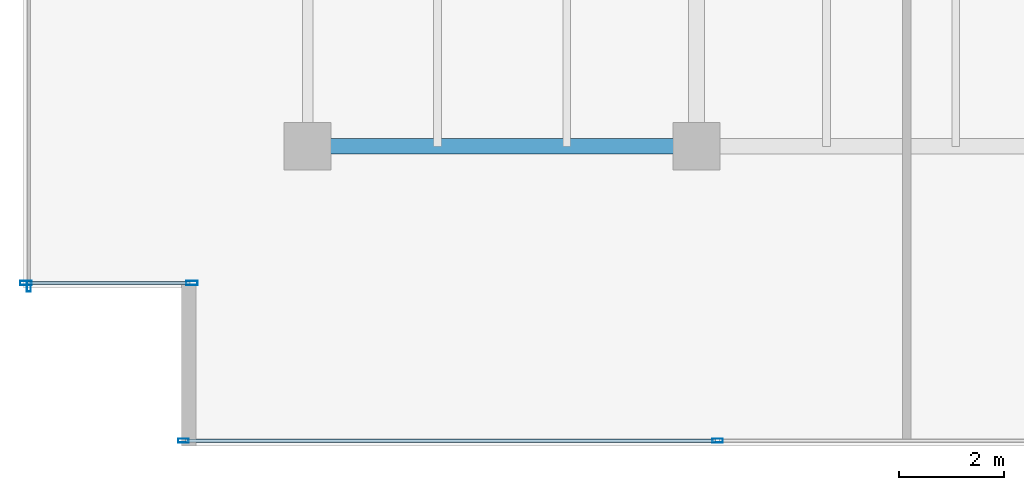
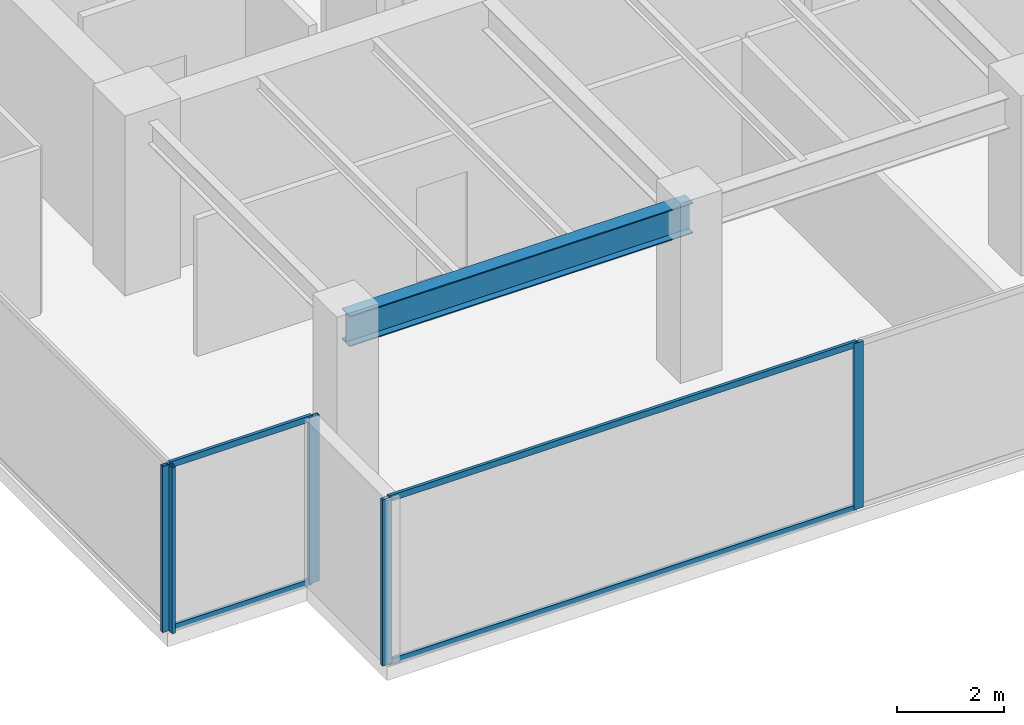
# One storey, part 2 of 30: 9 members, 1 beam, 3 elements without a shape of their own.
"""IFC4 building model written with IfcOpenShell, lengths in metres."""

from ifc_helpers import new_model, si_unit, direction, frame, origin, origin_2d, place, context, subcontext, project, spatial, hollow_rectangle, i_section, extrude, source, transform, mapped, material, layer, layer_set, material_profile, profile_set, type_object, type_shapes, element, aggregate, save


model = new_model("IFC4")

# Units and contexts
model_context = context("Model", 3, precision=1e-05, world=origin(), true_north=direction((0.0, 1.0)))
body_context = subcontext(model_context, "Body", "Model", "MODEL_VIEW")
ifc_project = project(units=[si_unit("LENGTHUNIT", "METRE"), si_unit("AREAUNIT", "SQUARE_METRE"), si_unit("VOLUMEUNIT", "CUBIC_METRE"), si_unit("PLANEANGLEUNIT", "RADIAN"), si_unit("MASSUNIT", "GRAM", prefix="KILO")], contexts=[model_context])

# Site, building, storey
site_placement = place(None, origin())
site = spatial("IfcSite", under=ifc_project, at=site_placement, CompositionType="ELEMENT")
building_placement = place(site_placement, origin())
building = spatial("IfcBuilding", under=site, at=building_placement, Name="Haelvirn Gate Laboratories", CompositionType="ELEMENT")
storey_placement = place(building_placement, frame((0.0, 0.0, 142.0)))
storey = spatial("IfcBuildingStorey", under=building, at=storey_placement, Name="L34", CompositionType="ELEMENT", Elevation=142.0)

# Beam
ifc_material_1 = material(Name="Steel SM355", Category="steel")
ifc_material_profile_1 = material_profile(ifc_material_1, i_section(OverallWidth=0.300048828125, OverallDepth=0.699951171875, WebThickness=0.012939453125, FlangeThickness=0.02392578125, at=origin_2d()), Name="H-700x300x13x24")
ifc_profile_set_1 = profile_set([ifc_material_profile_1], Name="Steel SM355")
beam_type = type_object("IfcBeamType", Name="BM-G-700", PredefinedType="BEAM", material=ifc_profile_set_1)
shared_shape_1 = source(origin(), body_context, "Body", "SweptSolid", [
    extrude(i_section(OverallWidth=0.300048828125, OverallDepth=0.699951171875, WebThickness=0.012939453125, FlangeThickness=0.02392578125, at=origin_2d()), origin(), (0.0, 0.0, 1.0), 7.400146484375),
])
type_shapes(beam_type, [shared_shape_1])
beam_placement = place(storey_placement, frame((7.39990234375, 7.0, 3.43994140625), z_axis=(1.0, 0.0, 0.0), x_axis=(0.0, 1.0, 0.0)))
element("IfcBeam", 1, at=beam_placement, inside=storey, type_object=beam_type, Name="L34 Primary Girder Y7.0 (7.4-14.8)", PredefinedType="BEAM", context=body_context, shape_type="MappedRepresentation", body=[
    mapped(shared_shape_1, transform((0.0, 0.0, 0.0), scale=1.0)),
])

# Curtain wall, members
ifc_material_2 = material(Name="Anodised bronze unitised aluminium & triple low-E glass", Category="aluminium")
ifc_layer_1 = layer(ifc_material_2, 0.179931640625, Name="CW-SYS-3")
ifc_layer_set_1 = layer_set([ifc_layer_1], Name="Anodised bronze unitised aluminium & triple low-E glass")
curtain_wall_type_1 = type_object("IfcCurtainWallType", Name="CW-SYS-3", PredefinedType="NOTDEFINED", material=ifc_layer_set_1)
curtain_wall_1_placement = place(storey_placement, origin())
curtain_wall_1 = element("IfcCurtainWall", 2, at=curtain_wall_1_placement, inside=storey, type_object=curtain_wall_type_1, Name="L34 Unitised Curtain Wall CW-L34-P0-E00-1", PredefinedType="NOTDEFINED")
ifc_material_3 = material(Name="Extruded aluminium 6063-T6 (anodised bronze)", Category="aluminium")
ifc_material_profile_2 = material_profile(ifc_material_3, hollow_rectangle(XDim=0.06494140625, YDim=0.139892578125, WallThickness=0.00390625, at=origin_2d()), Name="CWT-140x65x4")
ifc_profile_set_2 = profile_set([ifc_material_profile_2], Name="Extruded aluminium 6063-T6 (anodised bronze)")
member_type_1 = type_object("IfcMemberType", Name="CWT-T140", PredefinedType="USERDEFINED", material=ifc_profile_set_2)
shared_shape_2 = source(origin(), body_context, "Body", "SweptSolid", [
    extrude(hollow_rectangle(XDim=0.06494140625, YDim=0.139892578125, WallThickness=0.00390625, at=origin_2d()), origin(), (0.0, 0.0, 1.0), 10.087646484375),
])
member_1_placement = place(storey_placement, frame((5.074951171875, 1.39990234375, 0.032470703125), z_axis=(1.0, 0.0, 0.0), x_axis=(0.0, 1.0, 0.0)))
member_1 = element("IfcMember", 3, at=member_1_placement, type_object=member_type_1, Name="CW3 transom 1.1", ObjectType="TRANSOM", PredefinedType="USERDEFINED", context=body_context, shape_type="MappedRepresentation", body=[
    mapped(shared_shape_2, transform((0.0, 0.0, 0.0), scale=1.0)),
])
member_2_placement = place(storey_placement, frame((5.074951171875, 1.39990234375, 3.757568359375), z_axis=(1.0, 0.0, 0.0), x_axis=(0.0, 1.0, 0.0)))
member_2 = element("IfcMember", 4, at=member_2_placement, type_object=member_type_1, Name="CW3 transom 1.2", ObjectType="TRANSOM", PredefinedType="USERDEFINED", context=body_context, shape_type="MappedRepresentation", body=[
    mapped(shared_shape_2, transform((0.0, 0.0, 0.0), scale=1.0)),
])

ifc_layer_2 = layer(ifc_material_2, 0.181884765625, Name="CW-SYS-5")
ifc_layer_set_2 = layer_set([ifc_layer_2], Name="Anodised bronze unitised aluminium & triple low-E glass")
curtain_wall_type_2 = type_object("IfcCurtainWallType", Name="CW-SYS-5", PredefinedType="NOTDEFINED", material=ifc_layer_set_2)
curtain_wall_2_placement = place(storey_placement, origin())
curtain_wall_2 = element("IfcCurtainWall", 5, at=curtain_wall_2_placement, inside=storey, type_object=curtain_wall_type_2, Name="L34 Unitised Curtain Wall CW-L34-P0-E18-1", PredefinedType="NOTDEFINED")
shared_shape_3 = source(origin(), body_context, "Body", "SweptSolid", [
    extrude(hollow_rectangle(XDim=0.06494140625, YDim=0.139892578125, WallThickness=0.00390625, at=origin_2d()), origin(), (0.0, 0.0, 1.0), 3.079833984375),
])
type_shapes(member_type_1, [shared_shape_2, shared_shape_3])
member_3_placement = place(storey_placement, frame((2.080078125, 4.39990234375, 0.032470703125), z_axis=(1.0, 0.0, 0.0), x_axis=(0.0, 1.0, 0.0)))
member_3 = element("IfcMember", 6, at=member_3_placement, type_object=member_type_1, Name="CW5 transom 1.1", ObjectType="TRANSOM", PredefinedType="USERDEFINED", context=body_context, shape_type="MappedRepresentation", body=[
    mapped(shared_shape_3, transform((0.0, 0.0, 0.0), scale=1.0)),
])
member_4_placement = place(storey_placement, frame((2.080078125, 4.39990234375, 3.757568359375), z_axis=(1.0, 0.0, 0.0), x_axis=(0.0, 1.0, 0.0)))
member_4 = element("IfcMember", 7, at=member_4_placement, type_object=member_type_1, Name="CW5 transom 1.2", ObjectType="TRANSOM", PredefinedType="USERDEFINED", context=body_context, shape_type="MappedRepresentation", body=[
    mapped(shared_shape_3, transform((0.0, 0.0, 0.0), scale=1.0)),
])

# Member
ifc_material_profile_3 = material_profile(ifc_material_3, hollow_rectangle(XDim=0.074951171875, YDim=0.199951171875, WallThickness=0.0048828125, at=origin_2d()), Name="CWM-200x75x5")
ifc_profile_set_3 = profile_set([ifc_material_profile_3], Name="Extruded aluminium 6063-T6 (anodised bronze)")
member_type_2 = type_object("IfcMemberType", Name="CWM-T200", PredefinedType="MULLION", material=ifc_profile_set_3)
shared_shape_4 = source(origin(), body_context, "Body", "SweptSolid", [
    extrude(hollow_rectangle(XDim=0.074951171875, YDim=0.199951171875, WallThickness=0.0048828125, at=origin_2d()), origin(), (0.0, 0.0, 1.0), 3.7900390625),
])
type_shapes(member_type_2, [shared_shape_4])
member_5_placement = place(storey_placement, frame((5.03759765625, 1.39990234375, 0.0), z_axis=(0.0, 0.0, 1.0), x_axis=(0.0, 1.0, 0.0)))
member_5 = element("IfcMember", 8, at=member_5_placement, type_object=member_type_2, Name="CW3 mullion 1", PredefinedType="MULLION", context=body_context, shape_type="MappedRepresentation", body=[
    mapped(shared_shape_4, transform((0.0, 0.0, 0.0), scale=1.0)),
])

member_6_placement = place(storey_placement, frame((15.199951171875, 1.39990234375, 0.0), z_axis=(0.0, 0.0, 1.0), x_axis=(0.0, 1.0, 0.0)))
member_6 = element("IfcMember", 9, at=member_6_placement, type_object=member_type_2, Name="CW3 mullion 2", PredefinedType="MULLION", context=body_context, shape_type="MappedRepresentation", body=[
    mapped(shared_shape_4, transform((0.0, 0.0, 0.0), scale=1.0)),
])

aggregate(curtain_wall_1, [member_5, member_6, member_1, member_2])

# Curtain wall, member
curtain_wall_3_placement = place(storey_placement, origin())
curtain_wall_3 = element("IfcCurtainWall", 10, at=curtain_wall_3_placement, inside=storey, type_object=curtain_wall_type_1, Name="L34 Unitised Curtain Wall CW-L34-P0-E17", PredefinedType="NOTDEFINED")
member_7_placement = place(storey_placement, frame((2.10009765625, 4.33740234375, 0.0), z_axis=(0.0, 0.0, 1.0), x_axis=(1.0, 0.0, 0.0)))
member_7 = element("IfcMember", 11, at=member_7_placement, type_object=member_type_2, Name="CW3 mullion 4", PredefinedType="MULLION", context=body_context, shape_type="MappedRepresentation", body=[
    mapped(shared_shape_4, transform((0.0, 0.0, 0.0), scale=1.0)),
])
aggregate(curtain_wall_3, [member_7])

# Member
ifc_material_profile_4 = material_profile(ifc_material_3, hollow_rectangle(XDim=0.080078125, YDim=0.219970703125, WallThickness=0.006103515625, at=origin_2d()), Name="CWM-220x80x6")
ifc_profile_set_4 = profile_set([ifc_material_profile_4], Name="Extruded aluminium 6063-T6 (anodised bronze)")
member_type_3 = type_object("IfcMemberType", Name="CWM-T220", PredefinedType="MULLION", material=ifc_profile_set_4)
shared_shape_5 = source(origin(), body_context, "Body", "SweptSolid", [
    extrude(hollow_rectangle(XDim=0.080078125, YDim=0.219970703125, WallThickness=0.006103515625, at=origin_2d()), origin(), (0.0, 0.0, 1.0), 3.7900390625),
])
type_shapes(member_type_3, [shared_shape_5])
member_8_placement = place(storey_placement, frame((2.0400390625, 4.39990234375, 0.0), z_axis=(0.0, 0.0, 1.0), x_axis=(0.0, 1.0, 0.0)))
member_8 = element("IfcMember", 12, at=member_8_placement, type_object=member_type_3, Name="CW5 mullion 1", PredefinedType="MULLION", context=body_context, shape_type="MappedRepresentation", body=[
    mapped(shared_shape_5, transform((0.0, 0.0, 0.0), scale=1.0)),
])

member_9_placement = place(storey_placement, frame((5.199951171875, 4.39990234375, 0.0), z_axis=(0.0, 0.0, 1.0), x_axis=(0.0, 1.0, 0.0)))
member_9 = element("IfcMember", 13, at=member_9_placement, type_object=member_type_3, Name="CW5 mullion 2", PredefinedType="MULLION", context=body_context, shape_type="MappedRepresentation", body=[
    mapped(shared_shape_5, transform((0.0, 0.0, 0.0), scale=1.0)),
])

aggregate(curtain_wall_2, [member_8, member_9, member_3, member_4])

save(model, "model.ifc")
